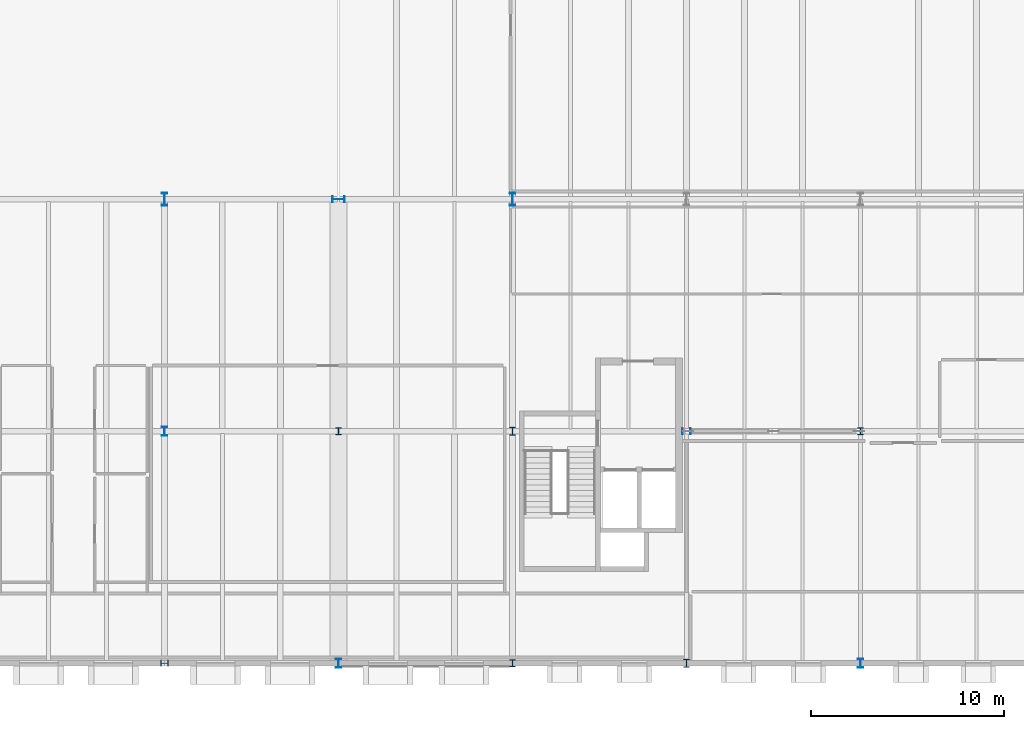
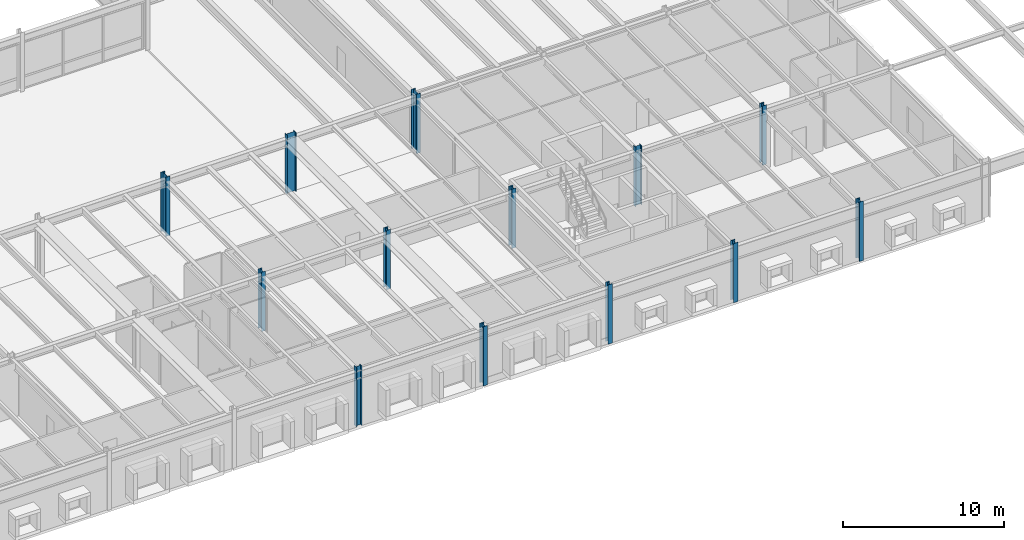
# One storey, part 4 of 115: 13 columns.
"""IFC4 building model written with IfcOpenShell, lengths in metres."""

from ifc_helpers import new_model, si_unit, direction, frame, origin, origin_2d, place, context, subcontext, project, spatial, i_section, extrude, material, material_profile, profile_set, type_object, element, save


model = new_model("IFC4")

# Units and contexts
model_context = context("Model", 3, precision=1e-05, world=origin(), true_north=direction((0.0, 1.0)))
body_context = subcontext(model_context, "Body", "Model", "MODEL_VIEW")
ifc_project = project(units=[si_unit("LENGTHUNIT", "METRE"), si_unit("AREAUNIT", "SQUARE_METRE"), si_unit("VOLUMEUNIT", "CUBIC_METRE"), si_unit("PLANEANGLEUNIT", "RADIAN"), si_unit("MASSUNIT", "GRAM", prefix="KILO")], contexts=[model_context])

# Site, building, storey
site_placement = place(None, origin())
site = spatial("IfcSite", under=ifc_project, at=site_placement, CompositionType="ELEMENT")
building_placement = place(site_placement, origin())
building = spatial("IfcBuilding", under=site, at=building_placement, Name="Montelvaro Courts of Justice", CompositionType="ELEMENT")
storey_placement = place(building_placement, frame((0.0, 0.0, 9.89990234375)))
storey = spatial("IfcBuildingStorey", under=building, at=storey_placement, Name="L02", CompositionType="ELEMENT", Elevation=9.89990234375)

# Columns
ifc_material = material(Name="Steel S355", Category="steel")
ifc_material_profile_1 = material_profile(ifc_material, i_section(OverallWidth=0.300048828125, OverallDepth=0.360107421875, WebThickness=0.012451171875, FlangeThickness=0.0224609375, at=origin_2d()), Name="HEB 360")
ifc_profile_set_1 = profile_set([ifc_material_profile_1], Name="Steel S355")
column_type_1 = type_object("IfcColumnType", Name="Col_HEB360", PredefinedType="COLUMN", material=ifc_profile_set_1)
for number, where, z_axis, x_axis, name in (
    (1, (99.0, 12.0, 0.0), (0.0, 0.0, 1.0), (1.0, 0.0, 0.0), "Column C-06 L02 12/B"),
    (2, (108.0, 0.0, 0.0), (0.0, 0.0, 1.0), (1.0, 0.0, 0.0), "Column C-06 L02 13/A"),
    (3, (126.0, 12.0, 0.0), (0.0, 0.0, 1.0), (1.0, 0.0, 0.0), "Column C-06 L02 15/B"),
):
    element("IfcColumn", number, at=place(storey_placement, frame(where, z_axis=z_axis, x_axis=x_axis)), inside=storey, type_object=column_type_1, Name=name, PredefinedType="COLUMN", context=body_context, shape_type="SweptSolid", body=[
        extrude(i_section(OverallWidth=0.300048828125, OverallDepth=0.360107421875, WebThickness=0.012451171875, FlangeThickness=0.0224609375, at=origin_2d()), origin(), (0.0, 0.0, 1.0), 4.5),
    ])
ifc_material_profile_2 = material_profile(ifc_material, i_section(OverallWidth=0.300048828125, OverallDepth=0.39990234375, WebThickness=0.013427734375, FlangeThickness=0.02392578125, at=origin_2d()), Name="HEB 400")
ifc_profile_set_2 = profile_set([ifc_material_profile_2], Name="Steel S355")
column_type_2 = type_object("IfcColumnType", Name="Col_HEB400", PredefinedType="COLUMN", material=ifc_profile_set_2)
for number, where, z_axis, x_axis, name in (
    (4, (90.0, 0.0, 0.0), (0.0, 0.0, 1.0), (0.0, 1.0, 0.0), "Column C-07 L02 11/A"),
    (5, (108.0, 12.0, 0.0), (0.0, 0.0, 1.0), (1.0, 0.0, 0.0), "Column C-07 L02 13/B"),
    (6, (117.0, 0.0, 0.0), (0.0, 0.0, 1.0), (1.0, 0.0, 0.0), "Column C-07 L02 14/A"),
):
    element("IfcColumn", number, at=place(storey_placement, frame(where, z_axis=z_axis, x_axis=x_axis)), inside=storey, type_object=column_type_2, Name=name, PredefinedType="COLUMN", context=body_context, shape_type="SweptSolid", body=[
        extrude(i_section(OverallWidth=0.300048828125, OverallDepth=0.39990234375, WebThickness=0.013427734375, FlangeThickness=0.02392578125, at=origin_2d()), origin(), (0.0, 0.0, 1.0), 4.5),
    ])
ifc_material_profile_3 = material_profile(ifc_material, i_section(OverallWidth=0.300048828125, OverallDepth=0.449951171875, WebThickness=0.013916015625, FlangeThickness=0.02587890625, at=origin_2d()), Name="HEB 450")
ifc_profile_set_3 = profile_set([ifc_material_profile_3], Name="Steel S355")
column_type_3 = type_object("IfcColumnType", Name="Col_HEB450", PredefinedType="COLUMN", material=ifc_profile_set_3)
for number, where, z_axis, x_axis, name in (
    (7, (90.0, 12.0, 0.0), (0.0, 0.0, 1.0), (1.0, 0.0, 0.0), "Column C-08 L02 11/B"),
    (8, (99.0, 0.0, 0.0), (0.0, 0.0, 1.0), (1.0, 0.0, 0.0), "Column C-08 L02 12/A"),
    (9, (117.0, 12.0, 0.0), (0.0, 0.0, 1.0), (0.0, 1.0, 0.0), "Column C-08 L02 14/B"),
    (10, (126.0, 0.0, 0.0), (0.0, 0.0, 1.0), (1.0, 0.0, 0.0), "Column C-08 L02 15/A"),
):
    element("IfcColumn", number, at=place(storey_placement, frame(where, z_axis=z_axis, x_axis=x_axis)), inside=storey, type_object=column_type_3, Name=name, PredefinedType="COLUMN", context=body_context, shape_type="SweptSolid", body=[
        extrude(i_section(OverallWidth=0.300048828125, OverallDepth=0.449951171875, WebThickness=0.013916015625, FlangeThickness=0.02587890625, at=origin_2d()), origin(), (0.0, 0.0, 1.0), 4.5),
    ])
ifc_material_profile_4 = material_profile(ifc_material, i_section(OverallWidth=0.300048828125, OverallDepth=0.64990234375, WebThickness=0.01611328125, FlangeThickness=0.031005859375, at=origin_2d()), Name="HEB 650")
ifc_profile_set_4 = profile_set([ifc_material_profile_4], Name="Steel S355")
column_type_4 = type_object("IfcColumnType", Name="Col_HEB650", PredefinedType="COLUMN", material=ifc_profile_set_4)
for number, where, z_axis, x_axis, name in (
    (11, (90.0, 24.0, 0.0), (0.0, 0.0, 1.0), (1.0, 0.0, 0.0), "Column C-12 L02 11/C"),
    (12, (99.0, 24.0, 0.0), (0.0, 0.0, 1.0), (0.0, 1.0, 0.0), "Column C-12 L02 12/C"),
    (13, (108.0, 24.0, 0.0), (0.0, 0.0, 1.0), (1.0, 0.0, 0.0), "Column C-12 L02 13/C"),
):
    element("IfcColumn", number, at=place(storey_placement, frame(where, z_axis=z_axis, x_axis=x_axis)), inside=storey, type_object=column_type_4, Name=name, PredefinedType="COLUMN", context=body_context, shape_type="SweptSolid", body=[
        extrude(i_section(OverallWidth=0.300048828125, OverallDepth=0.64990234375, WebThickness=0.01611328125, FlangeThickness=0.031005859375, at=origin_2d()), origin(), (0.0, 0.0, 1.0), 4.5),
    ])

save(model, "model.ifc")
